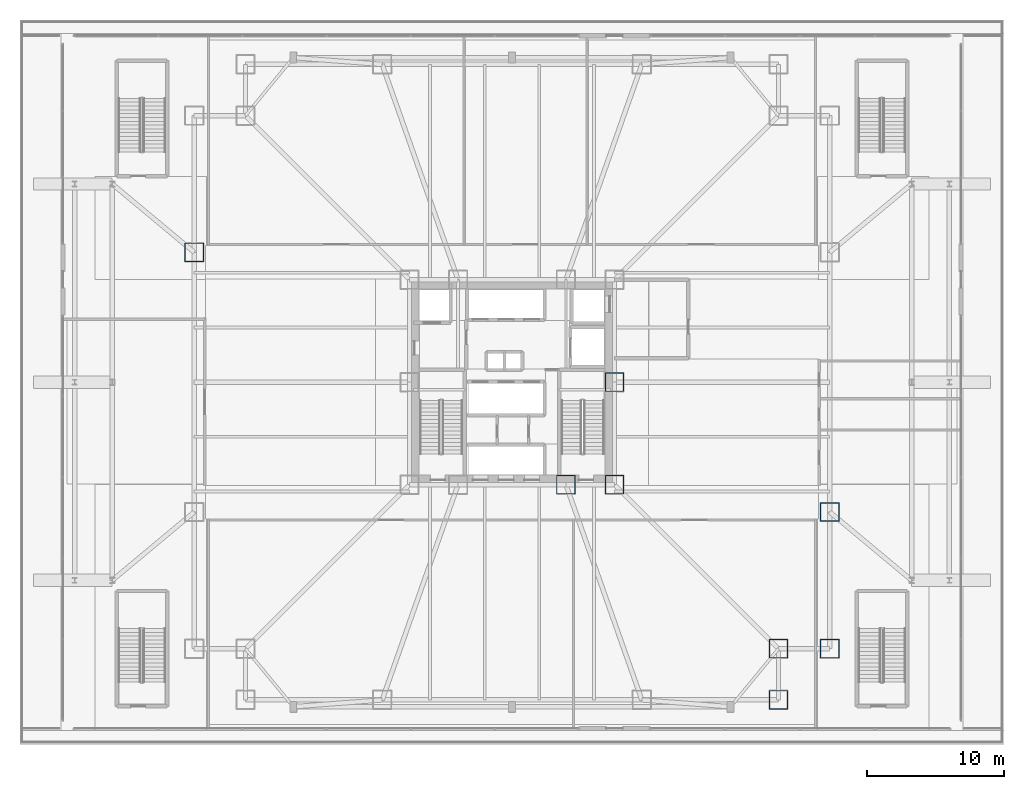
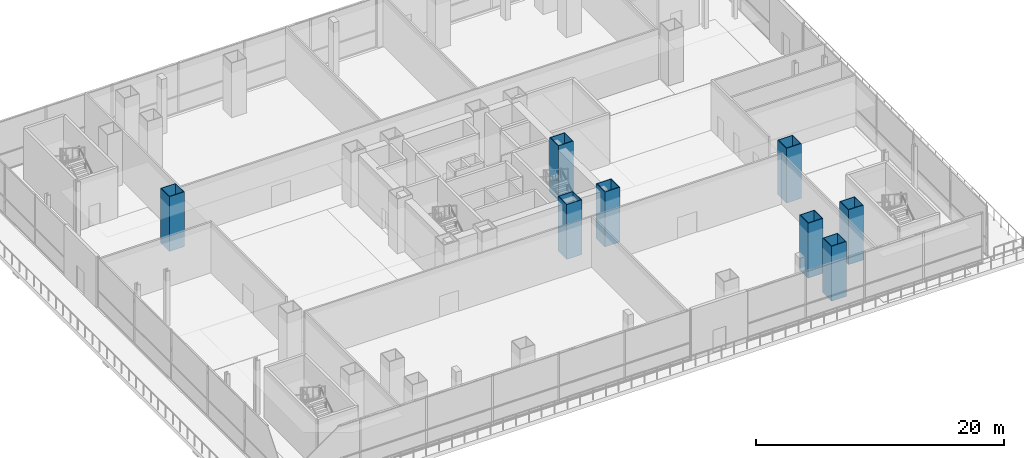
# One storey, part 2 of 36: 8 columns.
"""IFC4 building model written with IfcOpenShell, lengths in metres."""

from ifc_helpers import new_model, si_unit, direction, frame, origin, origin_2d, place, context, subcontext, project, spatial, hollow_rectangle, extrude, material, material_profile, profile_set, type_object, element, save


model = new_model("IFC4")

# Units and contexts
model_context = context("Model", 3, precision=1e-05, world=origin(), true_north=direction((0.0, 1.0)))
body_context = subcontext(model_context, "Body", "Model", "MODEL_VIEW")
ifc_project = project(units=[si_unit("LENGTHUNIT", "METRE"), si_unit("AREAUNIT", "SQUARE_METRE"), si_unit("VOLUMEUNIT", "CUBIC_METRE"), si_unit("PLANEANGLEUNIT", "RADIAN"), si_unit("MASSUNIT", "GRAM", prefix="KILO")], contexts=[model_context])

# Site, building, storey
site_placement = place(None, origin())
site = spatial("IfcSite", under=ifc_project, at=site_placement, CompositionType="ELEMENT")
building_placement = place(site_placement, origin())
building = spatial("IfcBuilding", under=site, at=building_placement, Name="Trevonay Congress Spire", CompositionType="ELEMENT")
storey_placement = place(building_placement, frame((0.0, 0.0, 16.199951171875)))
storey = spatial("IfcBuildingStorey", under=building, at=storey_placement, Name="L03", CompositionType="ELEMENT", Elevation=16.199951171875)

# Columns
ifc_material = material(Name="Steel ASTM A572 Grade 50", Category="steel")
ifc_material_profile = material_profile(ifc_material, hollow_rectangle(XDim=1.39990234375, YDim=1.39990234375, WallThickness=0.06005859375, at=origin_2d()), Name="BOX 1400x1400x60")
ifc_profile_set = profile_set([ifc_material_profile], Name="Steel ASTM A572 Grade 50")
column_type = type_object("IfcColumnType", Name="COL-CORE-BOX1400", PredefinedType="COLUMN", material=ifc_profile_set)
for number, where, z_axis, x_axis, name in (
    (1, (3.949951171875, -7.5, 0.0), (0.0, 0.0, 1.0), (1.0, 0.0, 0.0), "L03 column C01 at CC-SME"),
    (2, (7.5, -7.5, 0.0), (0.0, 0.0, 1.0), (1.0, 0.0, 0.0), "L03 column C01 at CC-SE"),
    (3, (7.5, 0.0, 0.0), (0.0, 0.0, 1.0), (1.0, 0.0, 0.0), "L03 column C01 at CC-E"),
    (4, (19.5, -23.25, 0.0), (0.0, 0.0, 1.0), (1.0, 0.0, 0.0), "L03 column C01 at TM-S6"),
    (5, (-23.25, 9.5, 0.0), (0.0, 0.0, 1.0), (1.0, 0.0, 0.0), "L03 column C01 at TM-W5"),
    (6, (23.25, -19.5, 0.0), (0.0, 0.0, 1.0), (1.0, 0.0, 0.0), "L03 column C01 at TM-E1"),
    (7, (23.25, -9.5, 0.0), (0.0, 0.0, 1.0), (1.0, 0.0, 0.0), "L03 column C01 at TM-E2"),
    (8, (19.5, -19.5, 0.0), (0.0, 0.0, 1.0), (1.0, 0.0, 0.0), "L03 column C01 at TM-CSE"),
):
    element("IfcColumn", number, at=place(storey_placement, frame(where, z_axis=z_axis, x_axis=x_axis)), inside=storey, type_object=column_type, Name=name, PredefinedType="COLUMN", context=body_context, shape_type="SweptSolid", body=[
        extrude(hollow_rectangle(XDim=1.39990234375, YDim=1.39990234375, WallThickness=0.06005859375, at=origin_2d()), origin(), (0.0, 0.0, 1.0), 5.400146484375),
    ])

save(model, "model.ifc")
